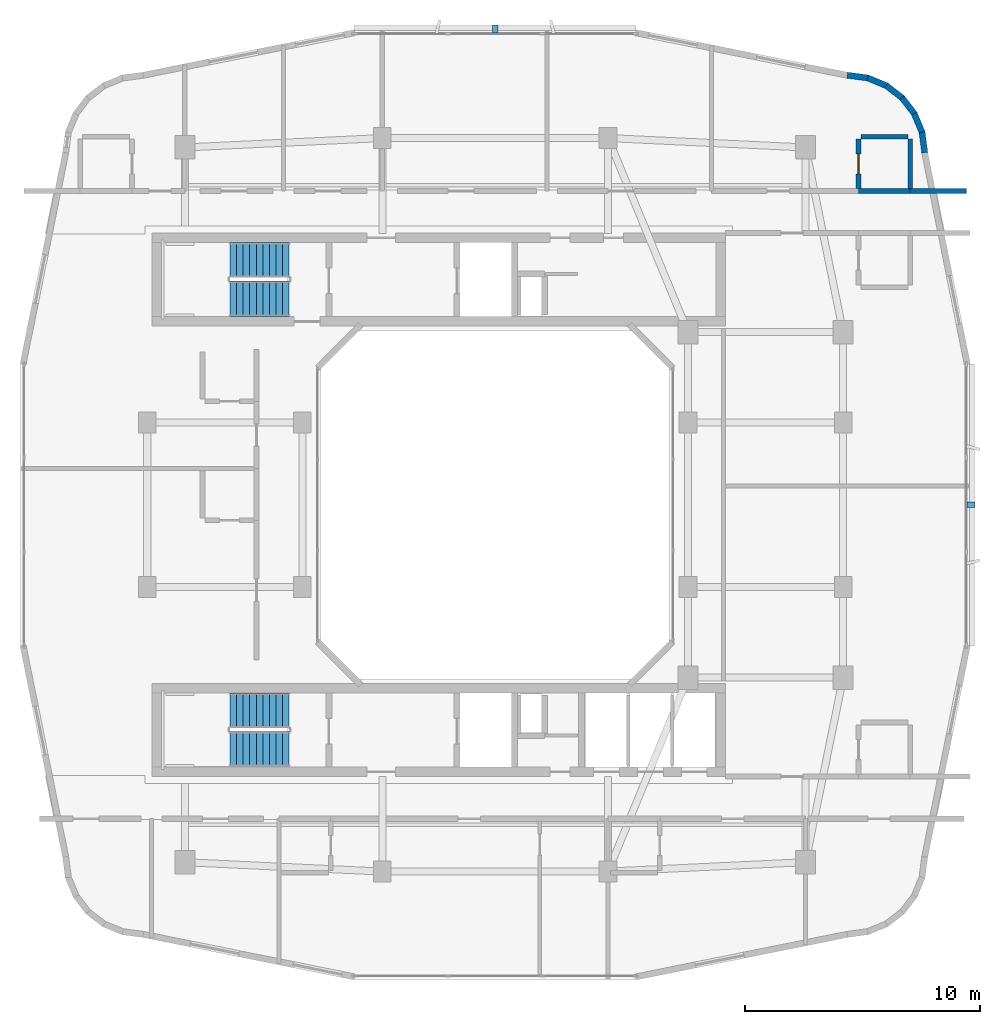
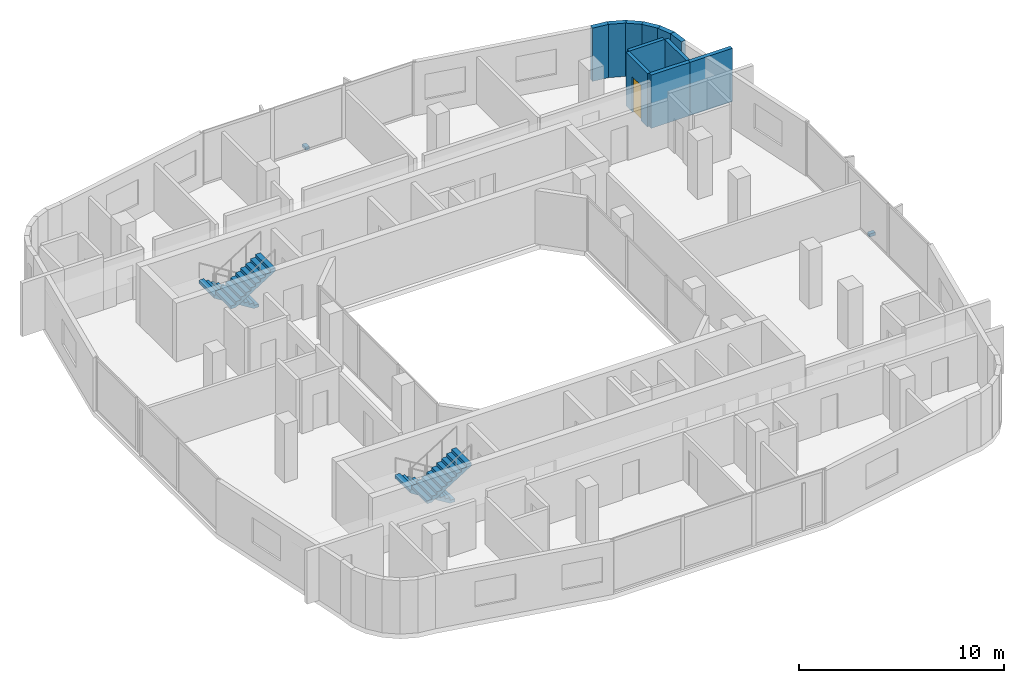
# One storey, part 10 of 14: 11 walls, 4 stair flights, 2 discrete accessories, 1 door, 1 opening, 2 elements without a shape of their own.
"""IFC4 building model written with IfcOpenShell, lengths in metres."""

from ifc_helpers import new_model, si_unit, derived_unit, direction, frame, frame_2d, origin, origin_2d, place, context, subcontext, project, spatial, polyline, rectangle, outline, extrude, material, layer, layer_set, type_object, element, fill, aggregate, save


model = new_model("IFC4")

# Units and contexts
model_context = context("Model", 3, precision=1e-05, world=origin(), true_north=direction((0.0, 1.0)))
body_context = subcontext(model_context, "Body", "Model", "MODEL_VIEW")
ifc_project = project(units=[si_unit("LENGTHUNIT", "METRE"), si_unit("AREAUNIT", "SQUARE_METRE"), si_unit("VOLUMEUNIT", "CUBIC_METRE"), si_unit("PLANEANGLEUNIT", "RADIAN"), si_unit("MASSUNIT", "GRAM", prefix="KILO"), derived_unit("THERMALTRANSMITTANCEUNIT", [(si_unit("POWERUNIT", "WATT"), 1), (si_unit("LENGTHUNIT", "METRE"), -2), (si_unit("THERMODYNAMICTEMPERATUREUNIT", "KELVIN"), -1)])], contexts=[model_context])

# Site, building, storey
site_placement = place(None, origin())
site = spatial("IfcSite", under=ifc_project, at=site_placement, CompositionType="ELEMENT")
building_placement = place(site_placement, origin())
building = spatial("IfcBuilding", under=site, at=building_placement, Name="Kivonza Crest Hotel", CompositionType="ELEMENT")
storey_placement = place(building_placement, frame((0.0, 0.0, 169.5)))
storey = spatial("IfcBuildingStorey", under=building, at=storey_placement, Name="L46", CompositionType="ELEMENT", Elevation=169.5)

# Walls
ifc_material_1 = material(Name="Autoclaved aerated concrete blockwork", Category="masonry")
ifc_layer_1 = layer(ifc_material_1, 0.219970703125)
ifc_layer_set_1 = layer_set([ifc_layer_1], Name="Autoclaved aerated concrete blockwork")
wall_type_1 = type_object("IfcWallType", Name="WL-ACOU-220", PredefinedType="SOLIDWALL", material=ifc_layer_set_1)
wall_1_placement = place(storey_placement, frame((38.64990234375, 38.35009765625, 0.0), z_axis=(0.0, 0.0, 1.0), x_axis=(1.0, 0.0, 0.0)))
element("IfcWall", 1, at=wall_1_placement, inside=storey, type_object=wall_type_1, Name="L46 interior partition WA-L46-N02-XCORR", PredefinedType="SOLIDWALL", context=body_context, shape_type="SweptSolid", body=[
    extrude(rectangle(XDim=2.39013671875, YDim=0.219970703125, at=frame_2d((1.195068359375, 0.0))), origin(), (0.0, 0.0, 1.0), 3.179931640625),
])
wall_2_placement = place(storey_placement, frame((36.449951171875, 38.35009765625, 0.0), z_axis=(0.0, 0.0, 1.0), x_axis=(1.0, 0.0, 0.0)))
element("IfcWall", 2, at=wall_2_placement, inside=storey, type_object=wall_type_1, Name="L46 interior partition WA-L46-N02-BCORR", PredefinedType="SOLIDWALL", context=body_context, shape_type="SweptSolid", body=[
    extrude(rectangle(XDim=2.199951171875, YDim=0.219970703125, at=frame_2d((1.10009765625, 0.0))), origin(), (0.0, 0.0, 1.0), 3.179931640625),
])
ifc_material_2 = material(Name="Precast concrete C40/50", Category="concrete")
ifc_layer_2 = layer(ifc_material_2, 0.260009765625)
ifc_layer_set_2 = layer_set([ifc_layer_2], Name="Precast concrete C40/50")
wall_type_2 = type_object("IfcWallType", Name="WL-EXT-260", PredefinedType="STANDARD", material=ifc_layer_set_2)
wall_3_placement = place(storey_placement, frame((39.27197265625, 39.97509765625, 0.0), z_axis=(0.0, 0.0, 1.0), x_axis=(-0.130953706898, 0.991388484223, 0.0)))
element("IfcWall", 3, at=wall_3_placement, inside=storey, type_object=wall_type_2, Name="L46 T1 exterior insulated wall 19", PredefinedType="STANDARD", context=body_context, shape_type="SweptSolid", body=[
    extrude(rectangle(XDim=0.885498046875, YDim=0.260009765625, at=frame_2d((0.44287109375, 0.0))), origin(), (0.0, 0.0, 1.0), 3.179931640625),
])
wall_4_placement = place(storey_placement, frame((39.174072265625, 40.806884765625, 0.0), z_axis=(0.0, 0.0, 1.0), x_axis=(-0.383290660547, 0.923627776508, 0.0)))
element("IfcWall", 4, at=wall_4_placement, inside=storey, type_object=wall_type_2, Name="L46 T1 exterior insulated wall 20", PredefinedType="STANDARD", context=body_context, shape_type="SweptSolid", body=[
    extrude(rectangle(XDim=0.9033203125, YDim=0.260009765625, at=frame_2d((0.45166015625, 0.0))), origin(), (0.0, 0.0, 1.0), 3.179931640625),
])
wall_5_placement = place(storey_placement, frame((38.85595703125, 41.60107421875, 0.0), z_axis=(0.0, 0.0, 1.0), x_axis=(-0.608624690463, 0.793458244748, 0.0)))
element("IfcWall", 5, at=wall_5_placement, inside=storey, type_object=wall_type_2, Name="L46 T1 exterior insulated wall 21", PredefinedType="STANDARD", context=body_context, shape_type="SweptSolid", body=[
    extrude(rectangle(XDim=0.902099609375, YDim=0.260009765625, at=frame_2d((0.451171875, 0.0))), origin(), (0.0, 0.0, 1.0), 3.179931640625),
])
wall_6_placement = place(storey_placement, frame((38.344970703125, 42.285888671875, 0.0), z_axis=(0.0, 0.0, 1.0), x_axis=(-0.793558456666, 0.608494022858, 0.0)))
element("IfcWall", 6, at=wall_6_placement, inside=storey, type_object=wall_type_2, Name="L46 T1 exterior insulated wall 22", PredefinedType="STANDARD", context=body_context, shape_type="SweptSolid", body=[
    extrude(rectangle(XDim=0.90234375, YDim=0.260009765625, at=frame_2d((0.451171875, 0.0))), origin(), (0.0, 0.0, 1.0), 3.179931640625),
])
wall_7_placement = place(storey_placement, frame((37.673095703125, 42.81396484375, 0.0), z_axis=(0.0, 0.0, 1.0), x_axis=(-0.923683767999, 0.383155708213, 0.0)))
element("IfcWall", 7, at=wall_7_placement, inside=storey, type_object=wall_type_2, Name="L46 T1 exterior insulated wall 23", PredefinedType="STANDARD", context=body_context, shape_type="SweptSolid", body=[
    extrude(rectangle(XDim=0.90283203125, YDim=0.260009765625, at=frame_2d((0.451416015625, 0.0))), origin(), (0.0, 0.0, 1.0), 3.179931640625),
])
wall_8_placement = place(storey_placement, frame((36.887939453125, 43.152099609375, 0.0), z_axis=(0.0, 0.0, 1.0), x_axis=(-0.991487658083, 0.130200706103, 0.0)))
element("IfcWall", 8, at=wall_8_placement, inside=storey, type_object=wall_type_2, Name="L46 T1 exterior insulated wall 24", PredefinedType="STANDARD", context=body_context, shape_type="SweptSolid", body=[
    extrude(rectangle(XDim=0.920654296875, YDim=0.260009765625, at=frame_2d((0.46044921875, 0.0))), origin(), (0.0, 0.0, 1.0), 3.179931640625),
])

# Wall, opening, door
ifc_material_3 = material(Name="Moisture-resistant plumbing chase partition wall", Category="gypsum")
ifc_layer_3 = layer(ifc_material_3, 0.199951171875)
ifc_layer_set_3 = layer_set([ifc_layer_3], Name="Moisture-resistant plumbing chase partition wall")
wall_type_3 = type_object("IfcWallType", Name="WL-PLUMB-200", PredefinedType="PLUMBINGWALL", material=ifc_layer_set_3)
wall_9_placement = place(storey_placement, frame((36.449951171875, 38.449951171875, 0.0), z_axis=(0.0, 0.0, 1.0), x_axis=(0.0, 1.0, 0.0)))
wall_9 = element("IfcWall", 9, at=wall_9_placement, inside=storey, type_object=wall_type_3, Name="L46 interior partition WW-L46-N02-BV", PredefinedType="PLUMBINGWALL", context=body_context, shape_type="SweptSolid", body=[
    extrude(rectangle(XDim=2.10009765625, YDim=0.199951171875, at=frame_2d((1.050048828125, 0.0))), origin(), (0.0, 0.0, 1.0), 3.179931640625),
])
opening_placement = place(wall_9_placement, frame((0.625, 0.0, 0.0)))
opening = element("IfcOpeningElement", 10, at=opening_placement, cuts=wall_9, Name="Opening DI-85", PredefinedType="OPENING", context=body_context, shape_type="SweptSolid", body=[
    extrude(rectangle(XDim=0.85009765625, YDim=2.10009765625, at=frame_2d((0.425048828125, 1.050048828125))), frame((0.0, 0.10986328125, 0.0), z_axis=(0.0, -1.0, 0.0), x_axis=(1.0, 0.0, 0.0)), (0.0, 0.0, 1.0), 0.219970703125),
])
ifc_material_4 = material(Name="Hardwood timber oak", Category="wood")
door_type = type_object("IfcDoorType", Name="DR-INT-850", OperationType="NOTDEFINED", PredefinedType="DOOR", material=ifc_material_4)
door_placement = place(opening_placement, origin())
door = element("IfcDoor", 11, at=door_placement, inside=storey, type_object=door_type, Name="L46 N02 en-suite bathroom door", OperationType="SINGLE_SWING_LEFT", OverallHeight=2.10009765625, OverallWidth=0.85009765625, PredefinedType="DOOR", context=body_context, shape_type="SweptSolid", body=[
    extrude(rectangle(XDim=0.85009765625, YDim=2.10009765625, at=frame_2d((0.425048828125, 1.050048828125))), frame((0.0, 0.02490234375, 0.0), z_axis=(0.0, -1.0, 0.0), x_axis=(1.0, 0.0, 0.0)), (0.0, 0.0, 1.0), 0.050048828125),
])
fill(opening, door)

# Walls
wall_10_placement = place(storey_placement, frame((36.550048828125, 40.64990234375, 0.0), z_axis=(0.0, 0.0, 1.0), x_axis=(1.0, 0.0, 0.0)))
element("IfcWall", 12, at=wall_10_placement, inside=storey, type_object=wall_type_3, Name="L46 interior partition WW-L46-N02-BH", PredefinedType="PLUMBINGWALL", context=body_context, shape_type="SweptSolid", body=[
    extrude(rectangle(XDim=2.0, YDim=0.199951171875, at=frame_2d((1.0, 0.0))), origin(), (0.0, 0.0, 1.0), 3.179931640625),
])
wall_11_placement = place(storey_placement, frame((38.64990234375, 38.449951171875, 0.0), z_axis=(0.0, 0.0, 1.0), x_axis=(0.0, 1.0, 0.0)))
element("IfcWall", 13, at=wall_11_placement, inside=storey, type_object=wall_type_3, Name="L46 interior partition WW-L46-N02-BVE", PredefinedType="PLUMBINGWALL", context=body_context, shape_type="SweptSolid", body=[
    extrude(rectangle(XDim=2.10009765625, YDim=0.199951171875, at=frame_2d((1.050048828125, 0.0))), origin(), (0.0, 0.0, 1.0), 3.179931640625),
])

# Stair, stair flights
ifc_material_5 = material(Name="Concrete C40/50", Category="concrete")
stair_type = type_object("IfcStairType", Name="ST-DL-20R", PredefinedType="HALF_TURN_STAIR", material=ifc_material_5)
stair_1_placement = place(storey_placement, origin())
stair_1 = element("IfcStair", 14, at=stair_1_placement, inside=storey, type_object=stair_type, Name="L46 Protected Exit Stair ST-T1-N", PredefinedType="HALF_TURN_STAIR")
stair_flight_type = type_object("IfcStairFlightType", Name="SFL-RC-10R", PredefinedType="STRAIGHT", material=ifc_material_5)
stair_flight_1_placement = place(storey_placement, frame((12.239990234375, 35.409912109375, 0.0), z_axis=(0.0, 0.0, 1.0), x_axis=(-1.0, 0.0, 0.0)))
stair_flight_1 = element("IfcStairFlight", 15, at=stair_flight_1_placement, type_object=stair_flight_type, Name="ST-T1-N flight 1", NumberOfRisers=10, NumberOfTreads=9, PredefinedType="STRAIGHT", RiserHeight=0.175, TreadLength=0.28, context=body_context, shape_type="SweptSolid", body=[
    extrude(outline(polyline([(0.0, 0.0), (0.0, 0.175048828125), (0.280029296875, 0.175048828125), (0.280029296875, 0.35009765625), (0.56005859375, 0.35009765625), (0.56005859375, 0.52490234375), (0.840087890625, 0.52490234375), (0.840087890625, 0.699951171875), (1.1201171875, 0.699951171875), (1.1201171875, 0.875), (1.39990234375, 0.875), (1.39990234375, 1.050048828125), (1.679931640625, 1.050048828125), (1.679931640625, 1.22509765625), (1.9599609375, 1.22509765625), (1.9599609375, 1.39990234375), (2.239990234375, 1.39990234375), (2.239990234375, 1.574951171875), (2.52001953125, 1.574951171875), (2.52001953125, 1.75), (2.52001953125, 1.398193359375), (0.28271484375, 0.0), (0.0, 0.0)])), frame((0.0, 0.75, 0.0), z_axis=(0.0, -1.0, 0.0), x_axis=(1.0, 0.0, 0.0)), (0.0, 0.0, 1.0), 1.5),
])
stair_flight_2_placement = place(storey_placement, frame((9.719970703125, 33.77001953125, 1.75), z_axis=(0.0, 0.0, 1.0), x_axis=(1.0, 0.0, 0.0)))
stair_flight_2 = element("IfcStairFlight", 16, at=stair_flight_2_placement, type_object=stair_flight_type, Name="ST-T1-N flight 2", NumberOfRisers=10, NumberOfTreads=9, PredefinedType="STRAIGHT", RiserHeight=0.175, TreadLength=0.28, context=body_context, shape_type="SweptSolid", body=[
    extrude(outline(polyline([(0.0, 0.0), (0.0, 0.175048828125), (0.280029296875, 0.175048828125), (0.280029296875, 0.35009765625), (0.56005859375, 0.35009765625), (0.56005859375, 0.52490234375), (0.840087890625, 0.52490234375), (0.840087890625, 0.699951171875), (1.1201171875, 0.699951171875), (1.1201171875, 0.875), (1.39990234375, 0.875), (1.39990234375, 1.050048828125), (1.679931640625, 1.050048828125), (1.679931640625, 1.22509765625), (1.9599609375, 1.22509765625), (1.9599609375, 1.39990234375), (2.239990234375, 1.39990234375), (2.239990234375, 1.574951171875), (2.52001953125, 1.574951171875), (2.52001953125, 1.75), (2.52001953125, 1.398193359375), (0.28271484375, 0.0), (0.0, 0.0)])), frame((0.0, 0.75, 0.0), z_axis=(0.0, -1.0, 0.0), x_axis=(1.0, 0.0, 0.0)), (0.0, 0.0, 1.0), 1.5),
])
aggregate(stair_1, [stair_flight_1, stair_flight_2])

stair_2_placement = place(storey_placement, origin())
stair_2 = element("IfcStair", 17, at=stair_2_placement, inside=storey, type_object=stair_type, Name="L46 Protected Exit Stair ST-T1-S", PredefinedType="HALF_TURN_STAIR")
stair_flight_3_placement = place(storey_placement, frame((12.239990234375, 16.25, 0.0), z_axis=(0.0, 0.0, 1.0), x_axis=(-1.0, 0.0, 0.0)))
stair_flight_3 = element("IfcStairFlight", 18, at=stair_flight_3_placement, type_object=stair_flight_type, Name="ST-T1-S flight 1", NumberOfRisers=10, NumberOfTreads=9, PredefinedType="STRAIGHT", RiserHeight=0.175, TreadLength=0.28, context=body_context, shape_type="SweptSolid", body=[
    extrude(outline(polyline([(0.0, 0.0), (0.0, 0.175048828125), (0.280029296875, 0.175048828125), (0.280029296875, 0.35009765625), (0.56005859375, 0.35009765625), (0.56005859375, 0.52490234375), (0.840087890625, 0.52490234375), (0.840087890625, 0.699951171875), (1.1201171875, 0.699951171875), (1.1201171875, 0.875), (1.39990234375, 0.875), (1.39990234375, 1.050048828125), (1.679931640625, 1.050048828125), (1.679931640625, 1.22509765625), (1.9599609375, 1.22509765625), (1.9599609375, 1.39990234375), (2.239990234375, 1.39990234375), (2.239990234375, 1.574951171875), (2.52001953125, 1.574951171875), (2.52001953125, 1.75), (2.52001953125, 1.398193359375), (0.28271484375, 0.0), (0.0, 0.0)])), frame((0.0, 0.75, 0.0), z_axis=(0.0, -1.0, 0.0), x_axis=(1.0, 0.0, 0.0)), (0.0, 0.0, 1.0), 1.5),
])
stair_flight_4_placement = place(storey_placement, frame((9.719970703125, 14.610107421875, 1.75), z_axis=(0.0, 0.0, 1.0), x_axis=(1.0, 0.0, 0.0)))
stair_flight_4 = element("IfcStairFlight", 19, at=stair_flight_4_placement, type_object=stair_flight_type, Name="ST-T1-S flight 2", NumberOfRisers=10, NumberOfTreads=9, PredefinedType="STRAIGHT", RiserHeight=0.175, TreadLength=0.28, context=body_context, shape_type="SweptSolid", body=[
    extrude(outline(polyline([(0.0, 0.0), (0.0, 0.175048828125), (0.280029296875, 0.175048828125), (0.280029296875, 0.35009765625), (0.56005859375, 0.35009765625), (0.56005859375, 0.52490234375), (0.840087890625, 0.52490234375), (0.840087890625, 0.699951171875), (1.1201171875, 0.699951171875), (1.1201171875, 0.875), (1.39990234375, 0.875), (1.39990234375, 1.050048828125), (1.679931640625, 1.050048828125), (1.679931640625, 1.22509765625), (1.9599609375, 1.22509765625), (1.9599609375, 1.39990234375), (2.239990234375, 1.39990234375), (2.239990234375, 1.574951171875), (2.52001953125, 1.574951171875), (2.52001953125, 1.75), (2.52001953125, 1.398193359375), (0.28271484375, 0.0), (0.0, 0.0)])), frame((0.0, 0.75, 0.0), z_axis=(0.0, -1.0, 0.0), x_axis=(1.0, 0.0, 0.0)), (0.0, 0.0, 1.0), 1.5),
])
aggregate(stair_2, [stair_flight_3, stair_flight_4])

# Discrete accessories
ifc_material_6 = material(Name="Stainless steel 316", Category="steel")
discrete_accessory_type = type_object("IfcDiscreteAccessoryType", Name="AC-BRACKET-240", PredefinedType="BRACKET", material=ifc_material_6)
for number, where, z_axis, x_axis, name in (
    (20, (41.239990234375, 25.0, -0.009765625), (0.0, 0.0, 1.0), (0.0, 1.0, 0.0), "L46 terracotta baguette support bracket CW-T1-L46-17"),
    (21, (21.0, 45.239990234375, -0.009765625), (0.0, 0.0, 1.0), (-1.0, 0.0, 0.0), "L46 terracotta baguette support bracket CW-T1-L46-26"),
):
    element("IfcDiscreteAccessory", number, at=place(storey_placement, frame(where, z_axis=z_axis, x_axis=x_axis)), inside=storey, type_object=discrete_accessory_type, Name=name, PredefinedType="BRACKET", context=body_context, shape_type="SweptSolid", body=[
        extrude(rectangle(XDim=0.219970703125, YDim=0.340087890625, at=origin_2d()), origin(), (0.0, 0.0, 1.0), 0.179931640625),
    ])

save(model, "model.ifc")
